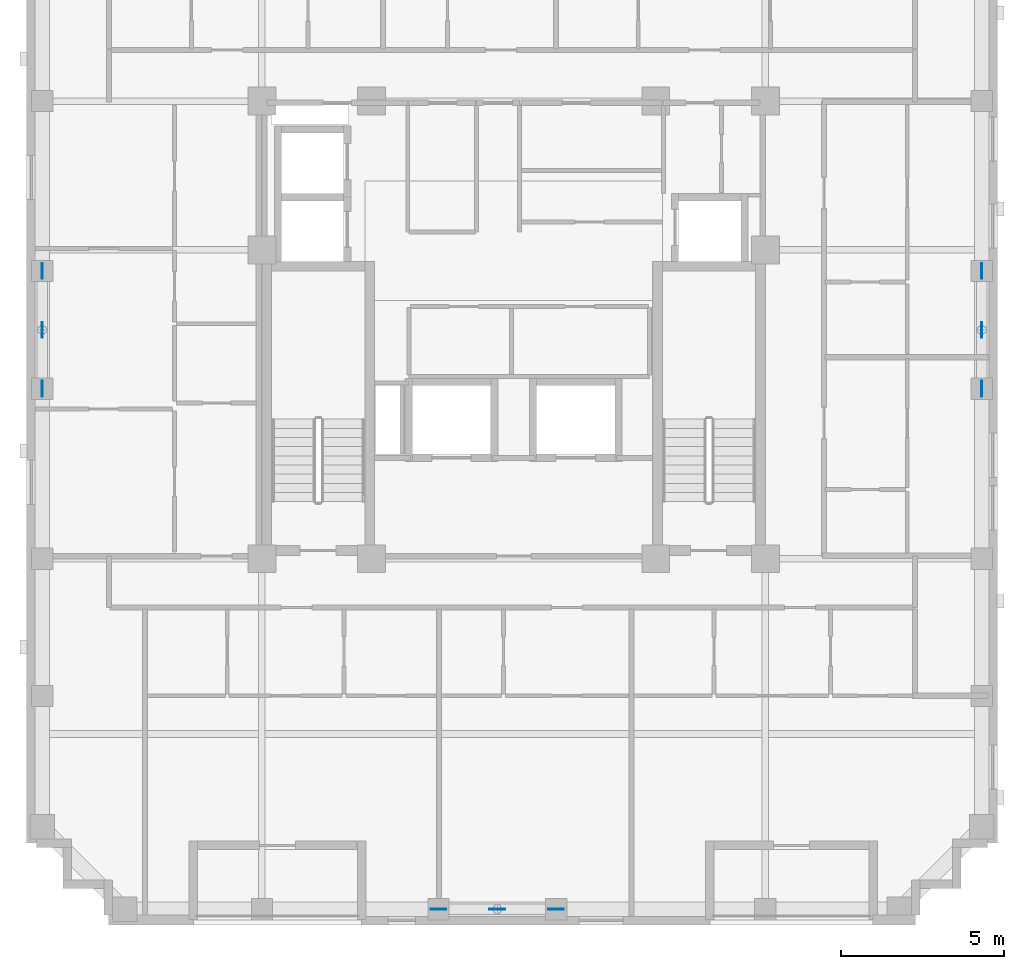
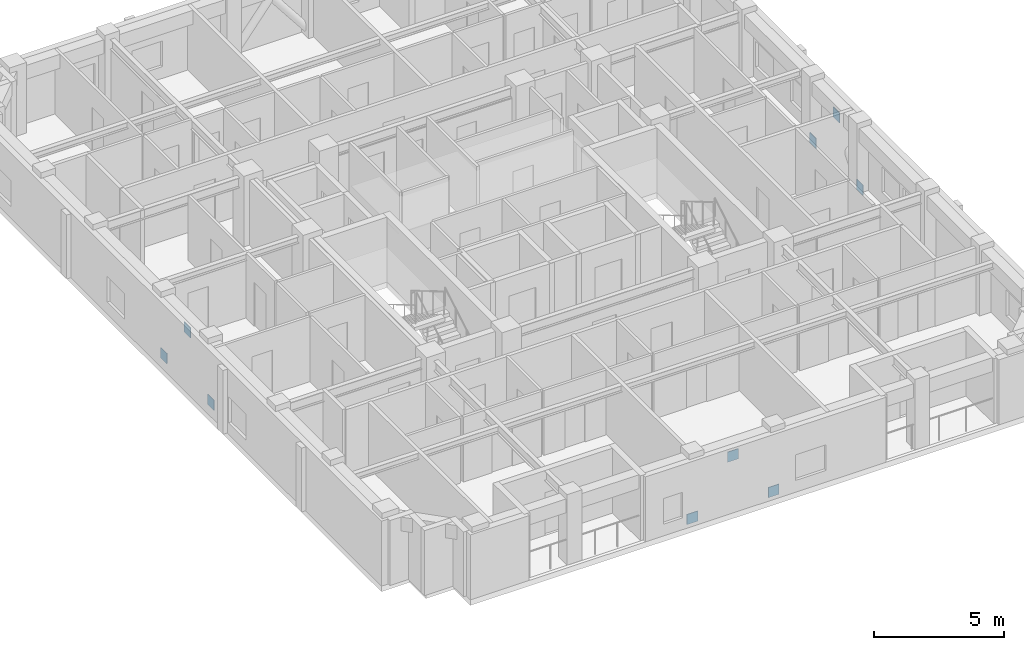
# One storey, part 8 of 11: 9 discrete accessories.
"""IFC4 building model written with IfcOpenShell, lengths in metres."""

from ifc_helpers import new_model, si_unit, derived_unit, direction, frame, origin, origin_2d, place, context, subcontext, project, spatial, rectangle, extrude, material, layer, layer_set, type_object, element, save


model = new_model("IFC4")

# Units and contexts
model_context = context("Model", 3, precision=1e-05, world=origin(), true_north=direction((0.0, 1.0)))
body_context = subcontext(model_context, "Body", "Model", "MODEL_VIEW")
ifc_project = project(units=[si_unit("LENGTHUNIT", "METRE"), si_unit("AREAUNIT", "SQUARE_METRE"), si_unit("VOLUMEUNIT", "CUBIC_METRE"), si_unit("PLANEANGLEUNIT", "RADIAN"), si_unit("MASSUNIT", "GRAM", prefix="KILO"), derived_unit("THERMALTRANSMITTANCEUNIT", [(si_unit("MASSUNIT", "GRAM", prefix="KILO"), 1), (si_unit("TIMEUNIT", "SECOND"), -3), (si_unit("THERMODYNAMICTEMPERATUREUNIT", "KELVIN"), -1)])], contexts=[model_context])

# Site, building, storey
site_placement = place(None, origin())
site = spatial("IfcSite", under=ifc_project, at=site_placement, CompositionType="ELEMENT")
building_placement = place(site_placement, origin())
building = spatial("IfcBuilding", under=site, at=building_placement, Name="Korrvale Station Residences", CompositionType="ELEMENT")
storey_placement = place(building_placement, frame((0.0, 0.0, 214.0)))
storey = spatial("IfcBuildingStorey", under=building, at=storey_placement, Name="L62", CompositionType="ELEMENT", Elevation=214.0)

# Discrete accessories
ifc_material = material(Name="Steel S355", Category="steel")
ifc_layer = layer(ifc_material, 0.02490234375, Name="Steel S355")
ifc_layer_set = layer_set([ifc_layer], Name="Steel S355")
discrete_accessory_type = type_object("IfcDiscreteAccessoryType", Name="ACC-GUSSET-25", PredefinedType="BRACKET", material=ifc_layer_set)
for number, where, z_axis, x_axis, name in (
    (1, (23.199951171875, 4.280029296875, -0.219970703125), (0.0, 0.0, 1.0), (1.0, 0.0, 0.0), "L62 S Brace End Gusset Connection A"),
    (2, (26.800048828125, 4.280029296875, -0.219970703125), (0.0, 0.0, 1.0), (1.0, 0.0, 0.0), "L62 S Brace End Gusset Connection B"),
    (3, (25.0, 4.280029296875, 2.070068359375), (0.0, 0.0, 1.0), (1.0, 0.0, 0.0), "L62 S Brace End Gusset Connection M"),
    (4, (11.080078125, 20.199951171875, -0.219970703125), (0.0, 0.0, 1.0), (0.0, 1.0, 0.0), "L62 W Brace End Gusset Connection A"),
    (5, (11.080078125, 23.800048828125, -0.219970703125), (0.0, 0.0, 1.0), (0.0, 1.0, 0.0), "L62 W Brace End Gusset Connection B"),
    (6, (11.080078125, 22.0, 2.070068359375), (0.0, 0.0, 1.0), (0.0, 1.0, 0.0), "L62 W Brace End Gusset Connection M"),
    (7, (39.820068359375, 20.199951171875, -0.219970703125), (0.0, 0.0, 1.0), (0.0, 1.0, 0.0), "L62 E Brace End Gusset Connection A"),
    (8, (39.820068359375, 23.800048828125, -0.219970703125), (0.0, 0.0, 1.0), (0.0, 1.0, 0.0), "L62 E Brace End Gusset Connection B"),
    (9, (39.820068359375, 22.0, 2.070068359375), (0.0, 0.0, 1.0), (0.0, 1.0, 0.0), "L62 E Brace End Gusset Connection M"),
):
    element("IfcDiscreteAccessory", number, at=place(storey_placement, frame(where, z_axis=z_axis, x_axis=x_axis)), inside=storey, type_object=discrete_accessory_type, Name=name, PredefinedType="BRACKET", context=body_context, shape_type="SweptSolid", body=[
        extrude(rectangle(XDim=0.47998046875, YDim=0.02490234375, at=origin_2d()), origin(), (0.0, 0.0, 1.0), 0.47998046875),
    ])

save(model, "model.ifc")
